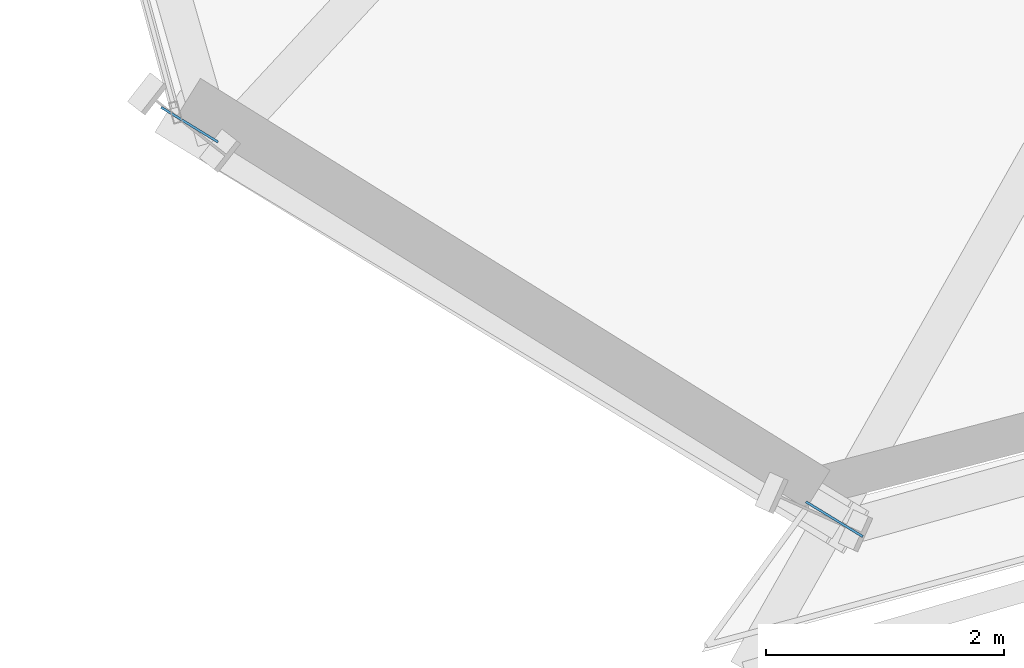
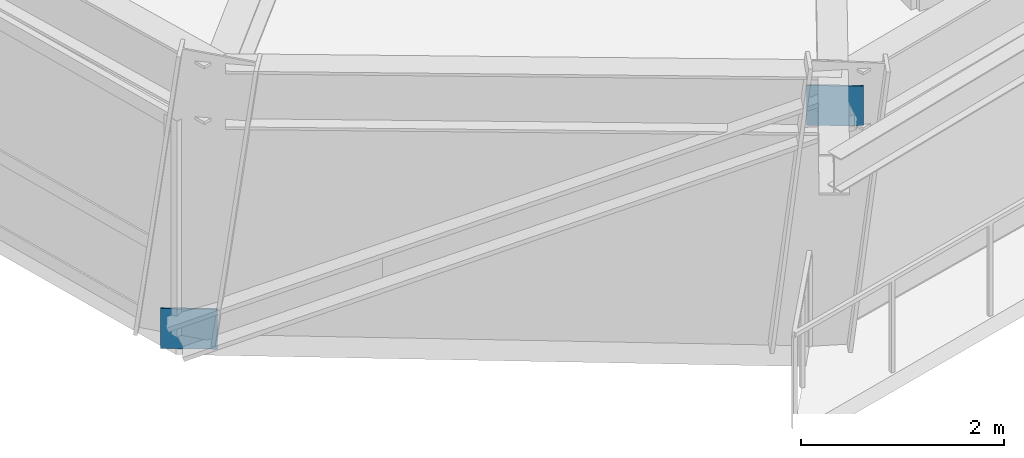
# One storey, part 12 of 20: 2 plates.
"""IFC4 building model written with IfcOpenShell, lengths in metres."""

from ifc_helpers import new_model, si_unit, direction, frame, origin, origin_2d, place, context, subcontext, project, spatial, rectangle, extrude, source, transform, mapped, material, type_object, element, save


model = new_model("IFC4")

# Units and contexts
model_context = context("Model", 3, precision=1e-05, world=origin(), true_north=direction((0.0, 1.0)))
body_context = subcontext(model_context, "Body", "Model", "MODEL_VIEW")
ifc_project = project(units=[si_unit("LENGTHUNIT", "METRE"), si_unit("AREAUNIT", "SQUARE_METRE"), si_unit("VOLUMEUNIT", "CUBIC_METRE"), si_unit("PLANEANGLEUNIT", "RADIAN"), si_unit("MASSUNIT", "GRAM", prefix="KILO")], contexts=[model_context])

# Site, building, storey
site_placement = place(None, origin())
site = spatial("IfcSite", under=ifc_project, at=site_placement, CompositionType="ELEMENT")
building_placement = place(site_placement, origin())
building = spatial("IfcBuilding", under=site, at=building_placement, Name="Olszyna Solenne Hotel", CompositionType="ELEMENT")
storey_placement = place(building_placement, frame((0.0, 0.0, 43.5)))
storey = spatial("IfcBuildingStorey", under=building, at=storey_placement, Name="L10", CompositionType="ELEMENT", Elevation=43.5)

# Plates
ifc_material = material(Name="Steel S355J2", Category="steel")
plate_type = type_object("IfcPlateType", Name="GP-ND2", PredefinedType="USERDEFINED", material=ifc_material)
shared_shape = source(origin(), body_context, "Body", "SweptSolid", [
    extrude(rectangle(XDim=0.56005859375, YDim=0.02001953125, at=origin_2d()), origin(), (0.0, 0.0, 1.0), 0.47998046875),
])
for number, where, z_axis, x_axis, name in (
    (1, (20.230224609375, 7.84765625, -0.173583984375), (0.0, 0.0, 1.0), (0.853004729353, -0.521903182306, 0.0), "Brace end connection gusset plate GP-ND2 EP-BR-L10-3-1"),
    (2, (25.65087890625, 4.531005859375, 2.61865234375), (0.0, 0.0, 1.0), (0.853004729353, -0.521903182306, 0.0), "Brace end connection gusset plate GP-ND2 EP-BR-L10-3-2"),
):
    element("IfcPlate", number, at=place(storey_placement, frame(where, z_axis=z_axis, x_axis=x_axis)), inside=storey, type_object=plate_type, Name=name, ObjectType="GUSSET_PLATE", PredefinedType="USERDEFINED", context=body_context, shape_type="MappedRepresentation", body=[
        mapped(shared_shape, transform((0.0, 0.0, 0.0), x_axis=(1.0, 0.0, 0.0), y_axis=(0.0, 1.0, 0.0), z_axis=(0.0, 0.0, 1.0), scale=1.0)),
    ])

save(model, "model.ifc")
